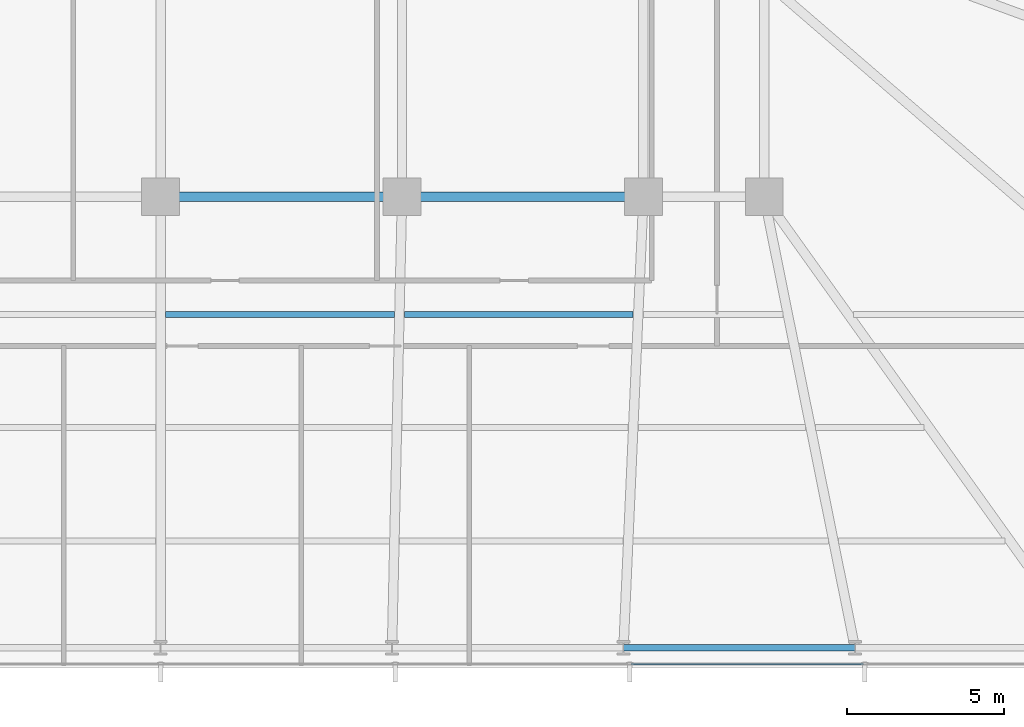
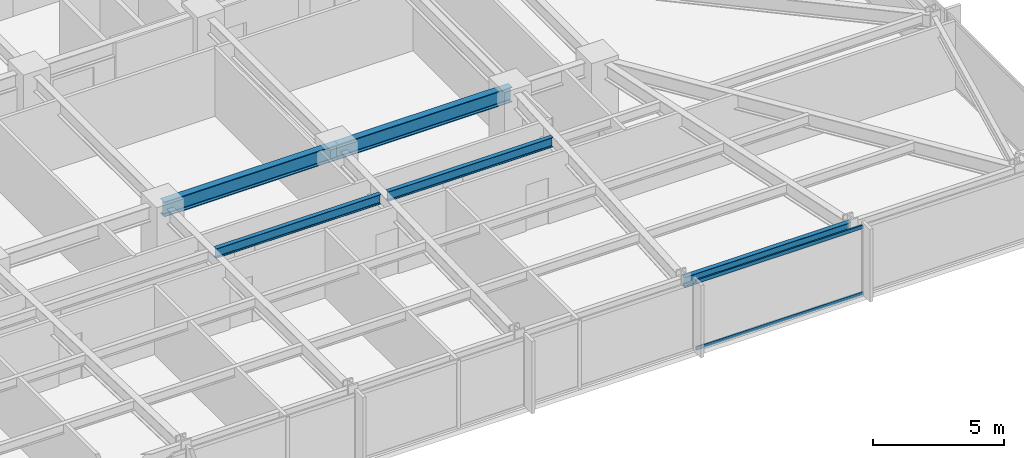
# One storey, part 13 of 33: 5 beams, 2 members, 1 element without a shape of its own.
"""IFC4 building model written with IfcOpenShell, lengths in metres."""

from ifc_helpers import new_model, si_unit, direction, frame, origin, origin_2d, place, context, subcontext, project, spatial, hollow_rectangle, i_section, extrude, material, material_profile, profile_set, type_object, element, aggregate, save


model = new_model("IFC4")

# Units and contexts
model_context = context("Model", 3, precision=1e-05, world=origin(), true_north=direction((0.0, 1.0)))
body_context = subcontext(model_context, "Body", "Model", "MODEL_VIEW")
ifc_project = project(units=[si_unit("LENGTHUNIT", "METRE"), si_unit("AREAUNIT", "SQUARE_METRE"), si_unit("VOLUMEUNIT", "CUBIC_METRE"), si_unit("PLANEANGLEUNIT", "RADIAN"), si_unit("MASSUNIT", "GRAM", prefix="KILO")], contexts=[model_context])

# Site, building, storey
site_placement = place(None, origin())
site = spatial("IfcSite", under=ifc_project, at=site_placement, CompositionType="ELEMENT")
building_placement = place(site_placement, origin())
building = spatial("IfcBuilding", under=site, at=building_placement, Name="Yelkora Congress Tower", CompositionType="ELEMENT")
storey_placement = place(building_placement, frame((0.0, 0.0, 71.199951171875)))
storey = spatial("IfcBuildingStorey", under=building, at=storey_placement, Name="L18", CompositionType="ELEMENT", Elevation=71.199951171875)

# Beams
ifc_material_1 = material(Name="Steel S355J2", Category="steel")
ifc_material_profile_1 = material_profile(ifc_material_1, i_section(OverallWidth=0.300048828125, OverallDepth=0.699951171875, WebThickness=0.01708984375, FlangeThickness=0.031982421875, FilletRadius=0.027099609375, at=origin_2d()), Name="HEB 700")
ifc_profile_set_1 = profile_set([ifc_material_profile_1], Name="Steel S355J2")
beam_type_1 = type_object("IfcBeamType", Name="BM-GIRD-HEB700", PredefinedType="BEAM", material=ifc_profile_set_1)
beam_1_placement = place(storey_placement, frame((38.39990234375, 25.199951171875, 2.830078125), z_axis=(1.0, 0.0, 0.0), x_axis=(0.0, 1.0, 0.0)))
element("IfcBeam", 1, at=beam_1_placement, inside=storey, type_object=beam_type_1, Name="L18 Spine Grid D Girder 4", PredefinedType="BEAM", context=body_context, shape_type="SweptSolid", body=[
    extrude(i_section(OverallWidth=0.300048828125, OverallDepth=0.699951171875, WebThickness=0.01708984375, FlangeThickness=0.031982421875, FilletRadius=0.027099609375, at=origin_2d()), origin(), (0.0, 0.0, 1.0), 7.68017578125),
])
beam_2_placement = place(storey_placement, frame((46.080078125, 25.199951171875, 2.830078125), z_axis=(1.0, 0.0, 0.0), x_axis=(0.0, 1.0, 0.0)))
element("IfcBeam", 2, at=beam_2_placement, inside=storey, type_object=beam_type_1, Name="L18 Spine Grid D Girder 5", PredefinedType="BEAM", context=body_context, shape_type="SweptSolid", body=[
    extrude(i_section(OverallWidth=0.300048828125, OverallDepth=0.699951171875, WebThickness=0.01708984375, FlangeThickness=0.031982421875, FilletRadius=0.027099609375, at=origin_2d()), origin(), (0.0, 0.0, 1.0), 7.679931640625),
])
ifc_material_profile_2 = material_profile(ifc_material_1, i_section(OverallWidth=0.18994140625, OverallDepth=0.449951171875, WebThickness=0.009521484375, FlangeThickness=0.0146484375, FilletRadius=0.02099609375, at=origin_2d()), Name="IPE 450")
ifc_profile_set_2 = profile_set([ifc_material_profile_2], Name="Steel S355J2")
beam_type_2 = type_object("IfcBeamType", Name="BM-JOIST-IPE450", PredefinedType="JOIST", material=ifc_profile_set_2)
beam_3_placement = place(storey_placement, frame((38.56005859375, 21.449951171875, 2.955078125), z_axis=(1.0, 0.0, 0.0), x_axis=(0.0, 1.0, 0.0)))
element("IfcBeam", 3, at=beam_3_placement, inside=storey, type_object=beam_type_2, Name="L18 Composite Floor Joist 20", PredefinedType="JOIST", context=body_context, shape_type="SweptSolid", body=[
    extrude(i_section(OverallWidth=0.18994140625, OverallDepth=0.449951171875, WebThickness=0.009521484375, FlangeThickness=0.0146484375, FilletRadius=0.02099609375, at=origin_2d()), origin(), (0.0, 0.0, 1.0), 7.27685546875),
])
beam_4_placement = place(storey_placement, frame((46.156982421875, 21.449951171875, 2.955078125), z_axis=(1.0, 0.0, 0.0), x_axis=(0.0, 1.0, 0.0)))
element("IfcBeam", 4, at=beam_4_placement, inside=storey, type_object=beam_type_2, Name="L18 Composite Floor Joist 21", PredefinedType="JOIST", context=body_context, shape_type="SweptSolid", body=[
    extrude(i_section(OverallWidth=0.18994140625, OverallDepth=0.449951171875, WebThickness=0.009521484375, FlangeThickness=0.0146484375, FilletRadius=0.02099609375, at=origin_2d()), origin(), (0.0, 0.0, 1.0), 7.277099609375),
])
ifc_material_profile_3 = material_profile(ifc_material_1, i_section(OverallWidth=0.199951171875, OverallDepth=0.5, WebThickness=0.01025390625, FlangeThickness=0.01611328125, FilletRadius=0.02099609375, at=origin_2d()), Name="IPE 500")
ifc_profile_set_3 = profile_set([ifc_material_profile_3], Name="Steel S355J2")
beam_type_3 = type_object("IfcBeamType", Name="BM-SPAN-IPE500", PredefinedType="SPANDREL", material=ifc_profile_set_3)
beam_5_placement = place(storey_placement, frame((53.125, 10.85009765625, 2.929931640625), z_axis=(1.0, 0.0, 0.0), x_axis=(0.0, 1.0, 0.0)))
element("IfcBeam", 5, at=beam_5_placement, inside=storey, type_object=beam_type_3, Name="L18 Perimeter Beam 8", PredefinedType="SPANDREL", context=body_context, shape_type="SweptSolid", body=[
    extrude(i_section(OverallWidth=0.199951171875, OverallDepth=0.5, WebThickness=0.01025390625, FlangeThickness=0.01611328125, FilletRadius=0.02099609375, at=origin_2d()), origin(), (0.0, 0.0, 1.0), 7.362548828125),
])

# Curtain wall, members
ifc_material_2 = material(Name="Anodised aluminium and insulated glass", Category="aluminium")
curtain_wall_type = type_object("IfcCurtainWallType", Name="CW-SYS-B1", PredefinedType="NOTDEFINED", material=ifc_material_2)
curtain_wall_placement = place(storey_placement, origin())
curtain_wall = element("IfcCurtainWall", 6, at=curtain_wall_placement, inside=storey, type_object=curtain_wall_type, Name="L18 Unitised Curtain Wall 20", PredefinedType="NOTDEFINED")
ifc_material_3 = material(Name="Anodised aluminium 6063-T6", Category="aluminium")
ifc_material_profile_4 = material_profile(ifc_material_3, hollow_rectangle(XDim=0.06494140625, YDim=0.159912109375, WallThickness=0.00390625, at=origin_2d()), Name="ALU 65x160x4")
ifc_profile_set_4 = profile_set([ifc_material_profile_4], Name="Anodised aluminium 6063-T6")
member_type = type_object("IfcMemberType", Name="MEM-TR-B1", PredefinedType="USERDEFINED", material=ifc_profile_set_4)
member_1_placement = place(storey_placement, frame((60.757568359375, 10.340087890625, 0.032470703125), z_axis=(-1.0, 0.0, 0.0), x_axis=(0.0, -1.0, 0.0)))
member_1 = element("IfcMember", 7, at=member_1_placement, type_object=member_type, Name="CW-B1 transom 2.1", ObjectType="TRANSOM", PredefinedType="USERDEFINED", context=body_context, shape_type="SweptSolid", body=[
    extrude(hollow_rectangle(XDim=0.06494140625, YDim=0.159912109375, WallThickness=0.00390625, at=origin_2d()), origin(), (0.0, 0.0, 1.0), 7.39013671875),
])
member_2_placement = place(storey_placement, frame((60.757568359375, 10.340087890625, 3.1474609375), z_axis=(-1.0, 0.0, 0.0), x_axis=(0.0, -1.0, 0.0)))
member_2 = element("IfcMember", 8, at=member_2_placement, type_object=member_type, Name="CW-B1 transom 2.2", ObjectType="TRANSOM", PredefinedType="USERDEFINED", context=body_context, shape_type="SweptSolid", body=[
    extrude(hollow_rectangle(XDim=0.06494140625, YDim=0.159912109375, WallThickness=0.00390625, at=origin_2d()), origin(), (0.0, 0.0, 1.0), 7.39013671875),
])
aggregate(curtain_wall, [member_1, member_2])

save(model, "model.ifc")
